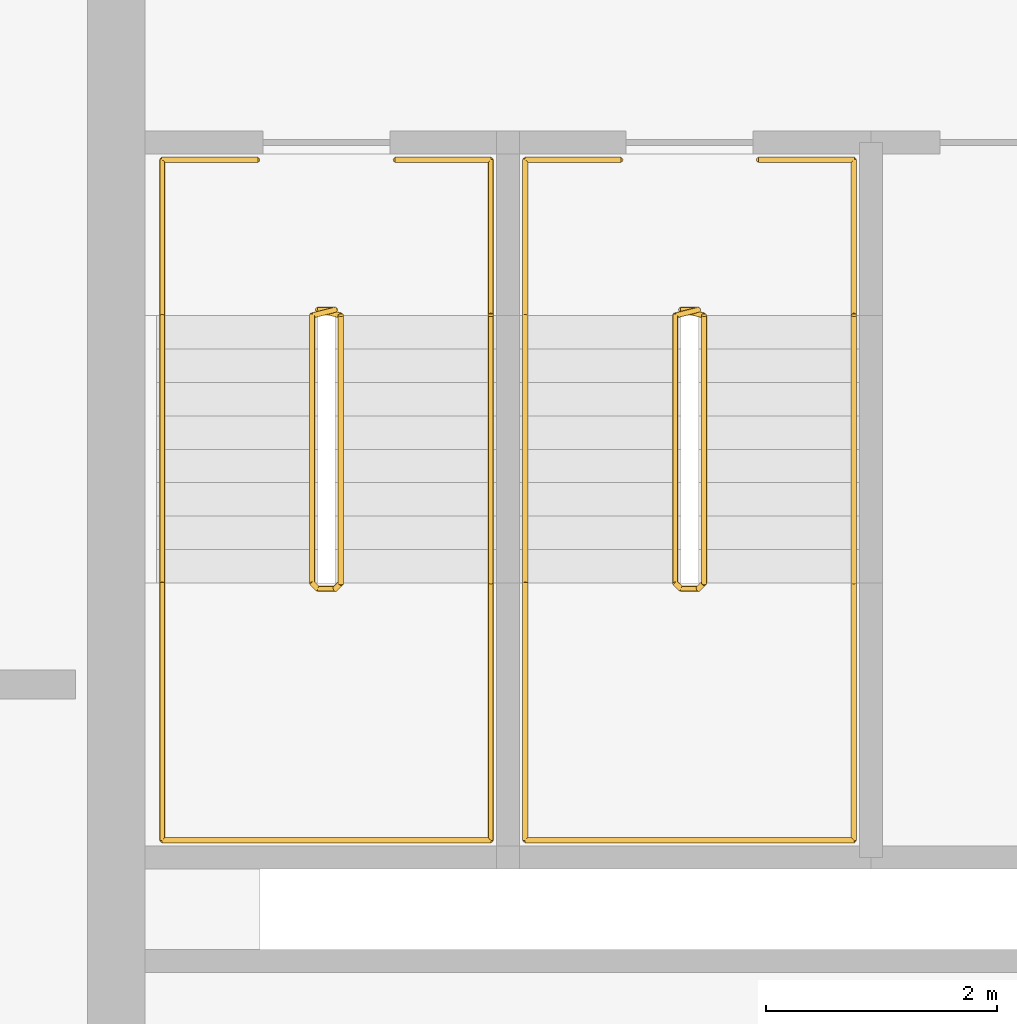
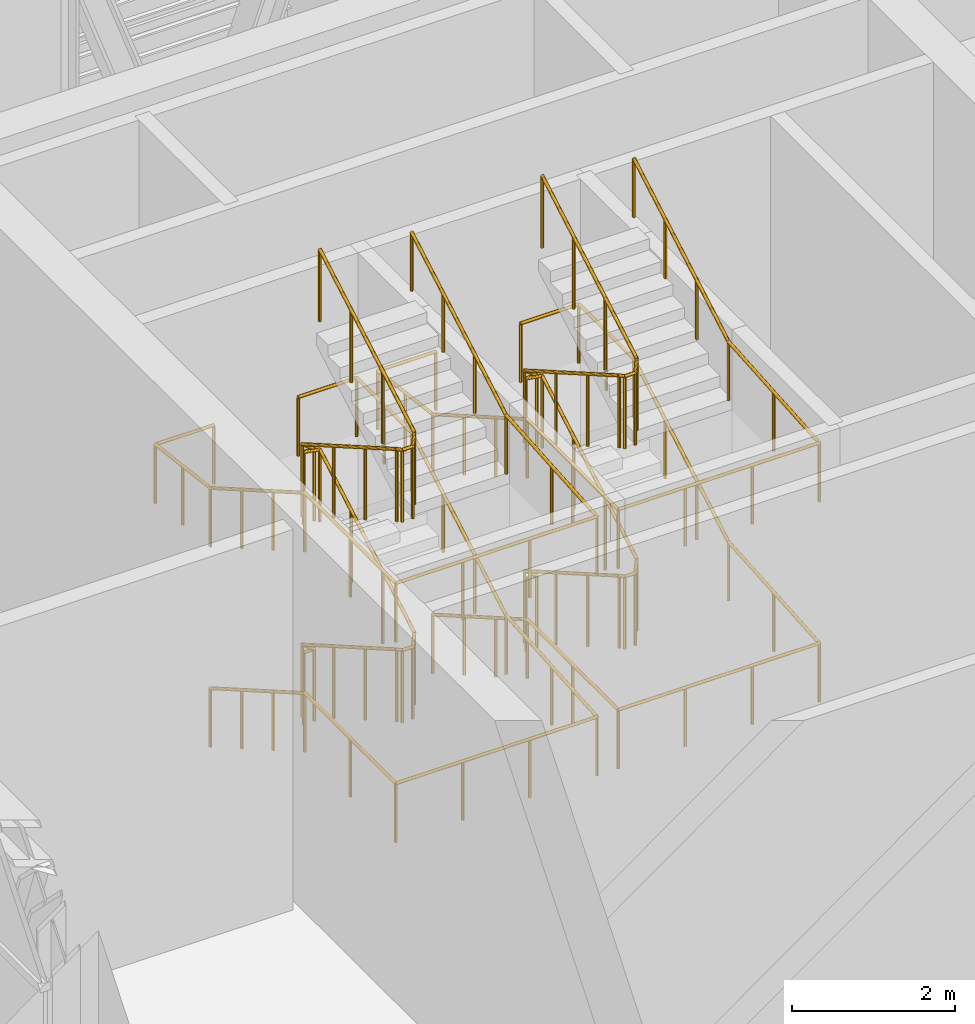
# One storey, part 17 of 19: 6 railings.
"""IFC4 building model written with IfcOpenShell, lengths in metres."""

from ifc_helpers import new_model, si_unit, direction, frame, origin, origin_2d, place, context, subcontext, project, spatial, circle, extrude, material, type_object, element, save


model = new_model("IFC4")

# Units and contexts
model_context = context("Model", 3, precision=1e-05, world=origin(), true_north=direction((0.0, 1.0)))
body_context = subcontext(model_context, "Body", "Model", "MODEL_VIEW")
ifc_project = project(units=[si_unit("LENGTHUNIT", "METRE"), si_unit("AREAUNIT", "SQUARE_METRE"), si_unit("VOLUMEUNIT", "CUBIC_METRE"), si_unit("PLANEANGLEUNIT", "RADIAN"), si_unit("MASSUNIT", "GRAM", prefix="KILO")], contexts=[model_context])

# Site, building, storey
site_placement = place(None, origin())
site = spatial("IfcSite", under=ifc_project, at=site_placement, CompositionType="ELEMENT")
building_placement = place(site_placement, origin())
building = spatial("IfcBuilding", under=site, at=building_placement, Name="Tessera Arch", CompositionType="ELEMENT")
storey_placement = place(building_placement, frame((0.0, 0.0, 197.300048828125)))
storey = spatial("IfcBuildingStorey", under=building, at=storey_placement, Name="L47", CompositionType="ELEMENT", Elevation=197.300048828125)

# Railings
ifc_material_1 = material(Name="Painted steel balustrade", Category="steel")
railing_type_1 = type_object("IfcRailingType", Name="Stair guard 1100", PredefinedType="GUARDRAIL", material=ifc_material_1)
railing_1_placement = place(storey_placement, frame((7.699951171875, 43.75, 0.0)))
element("IfcRailing", 1, at=railing_1_placement, inside=storey, type_object=railing_type_1, Name="L47 S2a stair guard 1", PredefinedType="GUARDRAIL", context=body_context, shape_type="SweptSolid", body=[
    extrude(circle(Radius=0.02392578125, at=origin_2d()), frame((-0.00390625, 0.0, 1.076171875), z_axis=(1.0, 0.0, 0.0), x_axis=(0.0, 1.0, 0.0)), (0.0, 0.0, 1.0), 0.158203125),
    extrude(circle(Radius=0.02392578125, at=origin_2d()), frame((0.153076171875, 0.000732421875, 1.073486328125), z_axis=(-0.755015485205, -0.188753871301, 0.627951903548), x_axis=(0.242535625036, -0.970142500145, 0.0)), (0.0, 0.0, 1.0), 0.273193359375),
    extrude(circle(Radius=0.02392578125, at=origin_2d()), frame((-0.050048828125, -0.046630859375, 1.240478515625), z_axis=(0.0, -0.866994009417, 0.498318560395), x_axis=(1.0, 0.0, 0.0)), (0.0, 0.0, 1.0), 2.68408203125),
    extrude(circle(Radius=0.02392578125, at=origin_2d()), frame((-0.052978515625, -2.3671875, 2.576171875), z_axis=(0.708833529934, -0.705375805398, 0.0), x_axis=(0.705375805398, 0.708833529934, 0.0)), (0.0, 0.0, 1.0), 0.07861328125),
    extrude(circle(Radius=0.02392578125, at=origin_2d()), frame((-0.00390625, -2.419921875, 2.576171875), z_axis=(1.0, 0.0, 0.0), x_axis=(0.0, 1.0, 0.0)), (0.0, 0.0, 1.0), 0.158203125),
    extrude(circle(Radius=0.02392578125, at=origin_2d()), frame((0.14892578125, -2.421142578125, 2.572265625), z_axis=(0.275485577735, 0.275485577735, 0.920986098114), x_axis=(-0.707106781187, 0.707106781187, 0.0)), (0.0, 0.0, 1.0), 0.188720703125),
    extrude(circle(Radius=0.02392578125, at=origin_2d()), frame((0.199951171875, -2.37353515625, 2.740478515625), z_axis=(0.0, 0.866994009417, 0.498318560395), x_axis=(-1.0, 0.0, 0.0)), (0.0, 0.0, 1.0), 2.68408203125),
    extrude(circle(Radius=0.02392578125, at=origin_2d()), frame((0.203857421875, -0.051025390625, 4.076171875), z_axis=(-0.970072785993, 0.242814311512, 0.0), x_axis=(-0.242814311512, -0.970072785993, 0.0)), (0.0, 0.0, 1.0), 0.214111328125),
    extrude(circle(Radius=0.02392578125, at=origin_2d()), frame((-0.00390625, 0.0, 4.076171875), z_axis=(1.0, 0.0, 0.0), x_axis=(0.0, 1.0, 0.0)), (0.0, 0.0, 1.0), 0.158203125),
    extrude(circle(Radius=0.02392578125, at=origin_2d()), frame((0.153076171875, 0.000732421875, 4.073486328125), z_axis=(-0.755015485205, -0.188753871301, 0.627951903548), x_axis=(0.242535625036, -0.970142500145, 0.0)), (0.0, 0.0, 1.0), 0.273193359375),
    extrude(circle(Radius=0.02392578125, at=origin_2d()), frame((-0.050048828125, -0.046630859375, 4.240478515625), z_axis=(0.0, -0.866994009417, 0.498318560395), x_axis=(1.0, 0.0, 0.0)), (0.0, 0.0, 1.0), 2.68408203125),
    extrude(circle(Radius=0.02392578125, at=origin_2d()), frame((-0.052978515625, -2.3671875, 5.576171875), z_axis=(0.708833529934, -0.705375805398, 0.0), x_axis=(0.705375805398, 0.708833529934, 0.0)), (0.0, 0.0, 1.0), 0.07861328125),
    extrude(circle(Radius=0.02392578125, at=origin_2d()), frame((-0.00390625, -2.419921875, 5.576171875), z_axis=(1.0, 0.0, 0.0), x_axis=(0.0, 1.0, 0.0)), (0.0, 0.0, 1.0), 0.158203125),
    extrude(circle(Radius=0.02392578125, at=origin_2d()), frame((0.14892578125, -2.421142578125, 5.572265625), z_axis=(0.275485577735, 0.275485577735, 0.920986098114), x_axis=(-0.707106781187, 0.707106781187, 0.0)), (0.0, 0.0, 1.0), 0.188720703125),
    extrude(circle(Radius=0.02392578125, at=origin_2d()), frame((0.199951171875, -2.37353515625, 5.740478515625), z_axis=(0.0, 0.866994009417, 0.498318560395), x_axis=(-1.0, 0.0, 0.0)), (0.0, 0.0, 1.0), 2.68408203125),
    extrude(circle(Radius=0.02099609375, at=origin_2d()), origin(), (0.0, 0.0, 1.0), 1.06396484375),
    extrude(circle(Radius=0.02099609375, at=origin_2d()), frame((0.150146484375, 0.0, 0.0)), (0.0, 0.0, 1.0), 1.06396484375),
    extrude(circle(Radius=0.02099609375, at=origin_2d()), frame((-0.050048828125, -0.050048828125, 0.16650390625)), (0.0, 0.0, 1.0), 1.06396484375),
    extrude(circle(Radius=0.02099609375, at=origin_2d()), frame((-0.050048828125, -0.823486328125, 0.611083984375)), (0.0, 0.0, 1.0), 1.06396484375),
    extrude(circle(Radius=0.02099609375, at=origin_2d()), frame((-0.050048828125, -1.5966796875, 1.055419921875)), (0.0, 0.0, 1.0), 1.06396484375),
    extrude(circle(Radius=0.02099609375, at=origin_2d()), frame((-0.050048828125, -2.3701171875, 1.5)), (0.0, 0.0, 1.0), 1.06396484375),
    extrude(circle(Radius=0.02099609375, at=origin_2d()), frame((0.0, -2.419921875, 1.5)), (0.0, 0.0, 1.0), 1.06396484375),
    extrude(circle(Radius=0.02099609375, at=origin_2d()), frame((0.150146484375, -2.419921875, 1.5)), (0.0, 0.0, 1.0), 1.06396484375),
    extrude(circle(Radius=0.02099609375, at=origin_2d()), frame((0.199951171875, -2.3701171875, 1.66650390625)), (0.0, 0.0, 1.0), 1.06396484375),
    extrude(circle(Radius=0.02099609375, at=origin_2d()), frame((0.199951171875, -1.5966796875, 2.111083984375)), (0.0, 0.0, 1.0), 1.06396484375),
    extrude(circle(Radius=0.02099609375, at=origin_2d()), frame((0.199951171875, -0.823486328125, 2.555419921875)), (0.0, 0.0, 1.0), 1.06396484375),
    extrude(circle(Radius=0.02099609375, at=origin_2d()), frame((0.199951171875, -0.050048828125, 3.0)), (0.0, 0.0, 1.0), 1.06396484375),
    extrude(circle(Radius=0.02099609375, at=origin_2d()), frame((0.0, 0.0, 3.0)), (0.0, 0.0, 1.0), 1.06396484375),
    extrude(circle(Radius=0.02099609375, at=origin_2d()), frame((0.150146484375, 0.0, 3.0)), (0.0, 0.0, 1.0), 1.06396484375),
    extrude(circle(Radius=0.02099609375, at=origin_2d()), frame((-0.050048828125, -0.050048828125, 3.16650390625)), (0.0, 0.0, 1.0), 1.06396484375),
    extrude(circle(Radius=0.02099609375, at=origin_2d()), frame((-0.050048828125, -0.823486328125, 3.611083984375)), (0.0, 0.0, 1.0), 1.06396484375),
    extrude(circle(Radius=0.02099609375, at=origin_2d()), frame((-0.050048828125, -1.5966796875, 4.055419921875)), (0.0, 0.0, 1.0), 1.06396484375),
    extrude(circle(Radius=0.02099609375, at=origin_2d()), frame((-0.050048828125, -2.3701171875, 4.5)), (0.0, 0.0, 1.0), 1.06396484375),
    extrude(circle(Radius=0.02099609375, at=origin_2d()), frame((0.0, -2.419921875, 4.5)), (0.0, 0.0, 1.0), 1.06396484375),
    extrude(circle(Radius=0.02099609375, at=origin_2d()), frame((0.150146484375, -2.419921875, 4.5)), (0.0, 0.0, 1.0), 1.06396484375),
    extrude(circle(Radius=0.02099609375, at=origin_2d()), frame((0.199951171875, -2.3701171875, 4.66650390625)), (0.0, 0.0, 1.0), 1.06396484375),
    extrude(circle(Radius=0.02099609375, at=origin_2d()), frame((0.199951171875, -1.5966796875, 5.111083984375)), (0.0, 0.0, 1.0), 1.06396484375),
    extrude(circle(Radius=0.02099609375, at=origin_2d()), frame((0.199951171875, -0.823486328125, 5.555419921875)), (0.0, 0.0, 1.0), 1.06396484375),
    extrude(circle(Radius=0.02099609375, at=origin_2d()), frame((0.199951171875, -0.050048828125, 6.0)), (0.0, 0.0, 1.0), 1.06396484375),
])
railing_2_placement = place(storey_placement, frame((10.85009765625, 43.75, 0.0)))
element("IfcRailing", 2, at=railing_2_placement, inside=storey, type_object=railing_type_1, Name="L47 S2b stair guard 1", PredefinedType="GUARDRAIL", context=body_context, shape_type="SweptSolid", body=[
    extrude(circle(Radius=0.02392578125, at=origin_2d()), frame((-0.00390625, 0.0, 1.076171875), z_axis=(1.0, 0.0, 0.0), x_axis=(0.0, 1.0, 0.0)), (0.0, 0.0, 1.0), 0.157958984375),
    extrude(circle(Radius=0.02392578125, at=origin_2d()), frame((0.15283203125, 0.000732421875, 1.073486328125), z_axis=(-0.754619193878, -0.188885146209, 0.628388632753), x_axis=(0.242814311512, -0.970072785993, 0.0)), (0.0, 0.0, 1.0), 0.27294921875),
    extrude(circle(Radius=0.02392578125, at=origin_2d()), frame((-0.050048828125, -0.046630859375, 1.240478515625), z_axis=(0.0, -0.866994009417, 0.498318560395), x_axis=(1.0, 0.0, 0.0)), (0.0, 0.0, 1.0), 2.68408203125),
    extrude(circle(Radius=0.02392578125, at=origin_2d()), frame((-0.052978515625, -2.3671875, 2.576171875), z_axis=(0.708833529934, -0.705375805398, 0.0), x_axis=(0.705375805398, 0.708833529934, 0.0)), (0.0, 0.0, 1.0), 0.07861328125),
    extrude(circle(Radius=0.02392578125, at=origin_2d()), frame((-0.00390625, -2.419921875, 2.576171875), z_axis=(1.0, 0.0, 0.0), x_axis=(0.0, 1.0, 0.0)), (0.0, 0.0, 1.0), 0.157958984375),
    extrude(circle(Radius=0.02392578125, at=origin_2d()), frame((0.148681640625, -2.421142578125, 2.572265625), z_axis=(0.276732813696, 0.275382897532, 0.920642824102), x_axis=(-0.705375805398, 0.708833529934, 0.0)), (0.0, 0.0, 1.0), 0.18896484375),
    extrude(circle(Radius=0.02392578125, at=origin_2d()), frame((0.199951171875, -2.37353515625, 2.740478515625), z_axis=(0.0, 0.866994009417, 0.498318560395), x_axis=(-1.0, 0.0, 0.0)), (0.0, 0.0, 1.0), 2.68408203125),
    extrude(circle(Radius=0.02392578125, at=origin_2d()), frame((0.203857421875, -0.051025390625, 4.076171875), z_axis=(-0.970072785993, 0.242814311512, 0.0), x_axis=(-0.242814311512, -0.970072785993, 0.0)), (0.0, 0.0, 1.0), 0.214111328125),
    extrude(circle(Radius=0.02392578125, at=origin_2d()), frame((-0.00390625, 0.0, 4.076171875), z_axis=(1.0, 0.0, 0.0), x_axis=(0.0, 1.0, 0.0)), (0.0, 0.0, 1.0), 0.157958984375),
    extrude(circle(Radius=0.02392578125, at=origin_2d()), frame((0.15283203125, 0.000732421875, 4.073486328125), z_axis=(-0.754619193878, -0.188885146209, 0.628388632753), x_axis=(0.242814311512, -0.970072785993, 0.0)), (0.0, 0.0, 1.0), 0.27294921875),
    extrude(circle(Radius=0.02392578125, at=origin_2d()), frame((-0.050048828125, -0.046630859375, 4.240478515625), z_axis=(0.0, -0.866994009417, 0.498318560395), x_axis=(1.0, 0.0, 0.0)), (0.0, 0.0, 1.0), 2.68408203125),
    extrude(circle(Radius=0.02392578125, at=origin_2d()), frame((-0.052978515625, -2.3671875, 5.576171875), z_axis=(0.708833529934, -0.705375805398, 0.0), x_axis=(0.705375805398, 0.708833529934, 0.0)), (0.0, 0.0, 1.0), 0.07861328125),
    extrude(circle(Radius=0.02392578125, at=origin_2d()), frame((-0.00390625, -2.419921875, 5.576171875), z_axis=(1.0, 0.0, 0.0), x_axis=(0.0, 1.0, 0.0)), (0.0, 0.0, 1.0), 0.157958984375),
    extrude(circle(Radius=0.02392578125, at=origin_2d()), frame((0.148681640625, -2.421142578125, 5.572265625), z_axis=(0.276732813696, 0.275382897532, 0.920642824102), x_axis=(-0.705375805398, 0.708833529934, 0.0)), (0.0, 0.0, 1.0), 0.18896484375),
    extrude(circle(Radius=0.02392578125, at=origin_2d()), frame((0.199951171875, -2.37353515625, 5.740478515625), z_axis=(0.0, 0.866994009417, 0.498318560395), x_axis=(-1.0, 0.0, 0.0)), (0.0, 0.0, 1.0), 2.68408203125),
    extrude(circle(Radius=0.02099609375, at=origin_2d()), origin(), (0.0, 0.0, 1.0), 1.06396484375),
    extrude(circle(Radius=0.02099609375, at=origin_2d()), frame((0.14990234375, 0.0, 0.0)), (0.0, 0.0, 1.0), 1.06396484375),
    extrude(circle(Radius=0.02099609375, at=origin_2d()), frame((-0.050048828125, -0.050048828125, 0.16650390625)), (0.0, 0.0, 1.0), 1.06396484375),
    extrude(circle(Radius=0.02099609375, at=origin_2d()), frame((-0.050048828125, -0.823486328125, 0.611083984375)), (0.0, 0.0, 1.0), 1.06396484375),
    extrude(circle(Radius=0.02099609375, at=origin_2d()), frame((-0.050048828125, -1.5966796875, 1.055419921875)), (0.0, 0.0, 1.0), 1.06396484375),
    extrude(circle(Radius=0.02099609375, at=origin_2d()), frame((-0.050048828125, -2.3701171875, 1.5)), (0.0, 0.0, 1.0), 1.06396484375),
    extrude(circle(Radius=0.02099609375, at=origin_2d()), frame((0.0, -2.419921875, 1.5)), (0.0, 0.0, 1.0), 1.06396484375),
    extrude(circle(Radius=0.02099609375, at=origin_2d()), frame((0.14990234375, -2.419921875, 1.5)), (0.0, 0.0, 1.0), 1.06396484375),
    extrude(circle(Radius=0.02099609375, at=origin_2d()), frame((0.199951171875, -2.3701171875, 1.66650390625)), (0.0, 0.0, 1.0), 1.06396484375),
    extrude(circle(Radius=0.02099609375, at=origin_2d()), frame((0.199951171875, -1.5966796875, 2.111083984375)), (0.0, 0.0, 1.0), 1.06396484375),
    extrude(circle(Radius=0.02099609375, at=origin_2d()), frame((0.199951171875, -0.823486328125, 2.555419921875)), (0.0, 0.0, 1.0), 1.06396484375),
    extrude(circle(Radius=0.02099609375, at=origin_2d()), frame((0.199951171875, -0.050048828125, 3.0)), (0.0, 0.0, 1.0), 1.06396484375),
    extrude(circle(Radius=0.02099609375, at=origin_2d()), frame((0.0, 0.0, 3.0)), (0.0, 0.0, 1.0), 1.06396484375),
    extrude(circle(Radius=0.02099609375, at=origin_2d()), frame((0.14990234375, 0.0, 3.0)), (0.0, 0.0, 1.0), 1.06396484375),
    extrude(circle(Radius=0.02099609375, at=origin_2d()), frame((-0.050048828125, -0.050048828125, 3.16650390625)), (0.0, 0.0, 1.0), 1.06396484375),
    extrude(circle(Radius=0.02099609375, at=origin_2d()), frame((-0.050048828125, -0.823486328125, 3.611083984375)), (0.0, 0.0, 1.0), 1.06396484375),
    extrude(circle(Radius=0.02099609375, at=origin_2d()), frame((-0.050048828125, -1.5966796875, 4.055419921875)), (0.0, 0.0, 1.0), 1.06396484375),
    extrude(circle(Radius=0.02099609375, at=origin_2d()), frame((-0.050048828125, -2.3701171875, 4.5)), (0.0, 0.0, 1.0), 1.06396484375),
    extrude(circle(Radius=0.02099609375, at=origin_2d()), frame((0.0, -2.419921875, 4.5)), (0.0, 0.0, 1.0), 1.06396484375),
    extrude(circle(Radius=0.02099609375, at=origin_2d()), frame((0.14990234375, -2.419921875, 4.5)), (0.0, 0.0, 1.0), 1.06396484375),
    extrude(circle(Radius=0.02099609375, at=origin_2d()), frame((0.199951171875, -2.3701171875, 4.66650390625)), (0.0, 0.0, 1.0), 1.06396484375),
    extrude(circle(Radius=0.02099609375, at=origin_2d()), frame((0.199951171875, -1.5966796875, 5.111083984375)), (0.0, 0.0, 1.0), 1.06396484375),
    extrude(circle(Radius=0.02099609375, at=origin_2d()), frame((0.199951171875, -0.823486328125, 5.555419921875)), (0.0, 0.0, 1.0), 1.06396484375),
    extrude(circle(Radius=0.02099609375, at=origin_2d()), frame((0.199951171875, -0.050048828125, 6.0)), (0.0, 0.0, 1.0), 1.06396484375),
])
ifc_material_2 = material(Name="Painted steel handrail", Category="steel")
railing_type_2 = type_object("IfcRailingType", Name="Stair handrail 900", PredefinedType="HANDRAIL", material=ifc_material_2)
railing_3_placement = place(storey_placement, frame((6.35009765625, 43.699951171875, 0.16650390625)))
element("IfcRailing", 3, at=railing_3_placement, inside=storey, type_object=railing_type_2, Name="L47 S2a stair handrail", PredefinedType="HANDRAIL", context=body_context, shape_type="SweptSolid", body=[
    extrude(circle(Radius=0.02392578125, at=origin_2d()), frame((0.0, 0.00341796875, 0.873779296875), z_axis=(0.0, -0.866994009417, 0.498318560395), x_axis=(1.0, 0.0, 0.0)), (0.0, 0.0, 1.0), 2.68408203125),
    extrude(circle(Radius=0.02392578125, at=origin_2d()), frame((0.0, -2.316162109375, 2.20947265625), z_axis=(0.0, -1.0, 0.0), x_axis=(1.0, 0.0, 0.0)), (0.0, 0.0, 1.0), 2.238037109375),
    extrude(circle(Radius=0.02392578125, at=origin_2d()), frame((-0.00390625, -4.550048828125, 2.20947265625), z_axis=(1.0, 0.0, 0.0), x_axis=(0.0, 1.0, 0.0)), (0.0, 0.0, 1.0), 2.85791015625),
    extrude(circle(Radius=0.02392578125, at=origin_2d()), frame((2.849853515625, -4.553955078125, 2.208984375), z_axis=(0.0, 0.99722408949, 0.074458816404), x_axis=(-1.0, 0.0, 0.0)), (0.0, 0.0, 1.0), 2.244140625),
    extrude(circle(Radius=0.02392578125, at=origin_2d()), frame((2.849853515625, -2.323486328125, 2.373779296875), z_axis=(0.0, 0.866994009417, 0.498318560395), x_axis=(-1.0, 0.0, 0.0)), (0.0, 0.0, 1.0), 2.68408203125),
    extrude(circle(Radius=0.02392578125, at=origin_2d()), frame((2.849853515625, -0.00390625, 3.70947265625), z_axis=(0.0, 1.0, 0.0), x_axis=(-1.0, 0.0, 0.0)), (0.0, 0.0, 1.0), 1.358154296875),
    extrude(circle(Radius=0.02392578125, at=origin_2d()), frame((2.853759765625, 1.35009765625, 3.70947265625), z_axis=(-1.0, 0.0, 0.0), x_axis=(0.0, -1.0, 0.0)), (0.0, 0.0, 1.0), 0.8330078125),
    extrude(circle(Radius=0.02099609375, at=origin_2d()), origin(), (0.0, 0.0, 1.0), 0.86376953125),
    extrude(circle(Radius=0.02099609375, at=origin_2d()), frame((0.0, -0.7734375, 0.444580078125)), (0.0, 0.0, 1.0), 0.86376953125),
    extrude(circle(Radius=0.02099609375, at=origin_2d()), frame((0.0, -1.546630859375, 0.888916015625)), (0.0, 0.0, 1.0), 0.86376953125),
    extrude(circle(Radius=0.02099609375, at=origin_2d()), frame((0.0, -2.320068359375, 1.33349609375)), (0.0, 0.0, 1.0), 0.86376953125),
    extrude(circle(Radius=0.02099609375, at=origin_2d()), frame((0.0, -3.43505859375, 1.33349609375)), (0.0, 0.0, 1.0), 0.86376953125),
    extrude(circle(Radius=0.02099609375, at=origin_2d()), frame((0.0, -4.550048828125, 1.33349609375)), (0.0, 0.0, 1.0), 0.86376953125),
    extrude(circle(Radius=0.02099609375, at=origin_2d()), frame((0.949951171875, -4.550048828125, 1.33349609375)), (0.0, 0.0, 1.0), 0.86376953125),
    extrude(circle(Radius=0.02099609375, at=origin_2d()), frame((1.89990234375, -4.550048828125, 1.33349609375)), (0.0, 0.0, 1.0), 0.86376953125),
    extrude(circle(Radius=0.02099609375, at=origin_2d()), frame((2.849853515625, -4.550048828125, 1.33349609375)), (0.0, 0.0, 1.0), 0.86376953125),
    extrude(circle(Radius=0.02099609375, at=origin_2d()), frame((2.849853515625, -3.43505859375, 1.416748046875)), (0.0, 0.0, 1.0), 0.86376953125),
    extrude(circle(Radius=0.02099609375, at=origin_2d()), frame((2.849853515625, -2.320068359375, 1.5)), (0.0, 0.0, 1.0), 0.86376953125),
    extrude(circle(Radius=0.02099609375, at=origin_2d()), frame((2.849853515625, -1.546630859375, 1.944580078125)), (0.0, 0.0, 1.0), 0.86376953125),
    extrude(circle(Radius=0.02099609375, at=origin_2d()), frame((2.849853515625, -0.7734375, 2.388916015625)), (0.0, 0.0, 1.0), 0.86376953125),
    extrude(circle(Radius=0.02099609375, at=origin_2d()), frame((2.849853515625, 0.0, 2.83349609375)), (0.0, 0.0, 1.0), 0.86376953125),
    extrude(circle(Radius=0.02099609375, at=origin_2d()), frame((2.849853515625, 0.675048828125, 2.83349609375)), (0.0, 0.0, 1.0), 0.86376953125),
    extrude(circle(Radius=0.02099609375, at=origin_2d()), frame((2.849853515625, 1.35009765625, 2.83349609375)), (0.0, 0.0, 1.0), 0.86376953125),
    extrude(circle(Radius=0.02099609375, at=origin_2d()), frame((2.02490234375, 1.35009765625, 2.83349609375)), (0.0, 0.0, 1.0), 0.86376953125),
])
railing_4_placement = place(storey_placement, frame((7.175048828125, 45.050048828125, 3.0)))
element("IfcRailing", 4, at=railing_4_placement, inside=storey, type_object=railing_type_2, Name="L47 S2a stair handrail 2", PredefinedType="HANDRAIL", context=body_context, shape_type="SweptSolid", body=[
    extrude(circle(Radius=0.02392578125, at=origin_2d()), frame((0.00390625, 0.0, 0.8759765625), z_axis=(-1.0, 0.0, 0.0), x_axis=(0.0, -1.0, 0.0)), (0.0, 0.0, 1.0), 0.8330078125),
    extrude(circle(Radius=0.02392578125, at=origin_2d()), frame((-0.824951171875, 0.00390625, 0.875244140625), z_axis=(0.0, -0.992480852507, 0.122399989405), x_axis=(1.0, 0.0, 0.0)), (0.0, 0.0, 1.0), 1.368408203125),
    extrude(circle(Radius=0.02392578125, at=origin_2d()), frame((-0.824951171875, -1.3466796875, 1.040283203125), z_axis=(0.0, -0.866994009417, 0.498318560395), x_axis=(1.0, 0.0, 0.0)), (0.0, 0.0, 1.0), 2.68408203125),
    extrude(circle(Radius=0.02392578125, at=origin_2d()), frame((-0.824951171875, -3.666259765625, 2.3759765625), z_axis=(0.0, -1.0, 0.0), x_axis=(1.0, 0.0, 0.0)), (0.0, 0.0, 1.0), 2.238037109375),
    extrude(circle(Radius=0.02392578125, at=origin_2d()), frame((-0.828857421875, -5.900146484375, 2.3759765625), z_axis=(1.0, 0.0, 0.0), x_axis=(0.0, 1.0, 0.0)), (0.0, 0.0, 1.0), 2.85791015625),
    extrude(circle(Radius=0.02392578125, at=origin_2d()), frame((2.02490234375, -5.904052734375, 2.37548828125), z_axis=(0.0, 0.99722408949, 0.074458816404), x_axis=(-1.0, 0.0, 0.0)), (0.0, 0.0, 1.0), 2.244140625),
    extrude(circle(Radius=0.02392578125, at=origin_2d()), frame((2.02490234375, -3.673583984375, 2.540283203125), z_axis=(0.0, 0.866994009417, 0.498318560395), x_axis=(-1.0, 0.0, 0.0)), (0.0, 0.0, 1.0), 2.68408203125),
    extrude(circle(Radius=0.02099609375, at=origin_2d()), origin(), (0.0, 0.0, 1.0), 0.86376953125),
    extrude(circle(Radius=0.02099609375, at=origin_2d()), frame((-0.824951171875, 0.0, 0.0)), (0.0, 0.0, 1.0), 0.86376953125),
    extrude(circle(Radius=0.02099609375, at=origin_2d()), frame((-0.824951171875, -0.675048828125, 0.083251953125)), (0.0, 0.0, 1.0), 0.86376953125),
    extrude(circle(Radius=0.02099609375, at=origin_2d()), frame((-0.824951171875, -1.35009765625, 0.16650390625)), (0.0, 0.0, 1.0), 0.86376953125),
    extrude(circle(Radius=0.02099609375, at=origin_2d()), frame((-0.824951171875, -2.12353515625, 0.611083984375)), (0.0, 0.0, 1.0), 0.86376953125),
    extrude(circle(Radius=0.02099609375, at=origin_2d()), frame((-0.824951171875, -2.896728515625, 1.055419921875)), (0.0, 0.0, 1.0), 0.86376953125),
    extrude(circle(Radius=0.02099609375, at=origin_2d()), frame((-0.824951171875, -3.670166015625, 1.5)), (0.0, 0.0, 1.0), 0.86376953125),
    extrude(circle(Radius=0.02099609375, at=origin_2d()), frame((-0.824951171875, -4.78515625, 1.5)), (0.0, 0.0, 1.0), 0.86376953125),
    extrude(circle(Radius=0.02099609375, at=origin_2d()), frame((-0.824951171875, -5.900146484375, 1.5)), (0.0, 0.0, 1.0), 0.86376953125),
    extrude(circle(Radius=0.02099609375, at=origin_2d()), frame((0.125, -5.900146484375, 1.5)), (0.0, 0.0, 1.0), 0.86376953125),
    extrude(circle(Radius=0.02099609375, at=origin_2d()), frame((1.074951171875, -5.900146484375, 1.5)), (0.0, 0.0, 1.0), 0.86376953125),
    extrude(circle(Radius=0.02099609375, at=origin_2d()), frame((2.02490234375, -5.900146484375, 1.5)), (0.0, 0.0, 1.0), 0.86376953125),
    extrude(circle(Radius=0.02099609375, at=origin_2d()), frame((2.02490234375, -4.78515625, 1.583251953125)), (0.0, 0.0, 1.0), 0.86376953125),
    extrude(circle(Radius=0.02099609375, at=origin_2d()), frame((2.02490234375, -3.670166015625, 1.66650390625)), (0.0, 0.0, 1.0), 0.86376953125),
    extrude(circle(Radius=0.02099609375, at=origin_2d()), frame((2.02490234375, -2.896728515625, 2.111083984375)), (0.0, 0.0, 1.0), 0.86376953125),
    extrude(circle(Radius=0.02099609375, at=origin_2d()), frame((2.02490234375, -2.12353515625, 2.555419921875)), (0.0, 0.0, 1.0), 0.86376953125),
    extrude(circle(Radius=0.02099609375, at=origin_2d()), frame((2.02490234375, -1.35009765625, 3.0)), (0.0, 0.0, 1.0), 0.86376953125),
])
railing_5_placement = place(storey_placement, frame((9.5, 43.699951171875, 0.16650390625)))
element("IfcRailing", 5, at=railing_5_placement, inside=storey, type_object=railing_type_2, Name="L47 S2b stair handrail", PredefinedType="HANDRAIL", context=body_context, shape_type="SweptSolid", body=[
    extrude(circle(Radius=0.02392578125, at=origin_2d()), frame((0.0, 0.00341796875, 0.873779296875), z_axis=(0.0, -0.866994009417, 0.498318560395), x_axis=(1.0, 0.0, 0.0)), (0.0, 0.0, 1.0), 2.68408203125),
    extrude(circle(Radius=0.02392578125, at=origin_2d()), frame((0.0, -2.316162109375, 2.20947265625), z_axis=(0.0, -1.0, 0.0), x_axis=(1.0, 0.0, 0.0)), (0.0, 0.0, 1.0), 2.238037109375),
    extrude(circle(Radius=0.02392578125, at=origin_2d()), frame((-0.00390625, -4.550048828125, 2.20947265625), z_axis=(1.0, 0.0, 0.0), x_axis=(0.0, 1.0, 0.0)), (0.0, 0.0, 1.0), 2.858154296875),
    extrude(circle(Radius=0.02392578125, at=origin_2d()), frame((2.85009765625, -4.553955078125, 2.208984375), z_axis=(0.0, 0.99722408949, 0.074458816404), x_axis=(-1.0, 0.0, 0.0)), (0.0, 0.0, 1.0), 2.244140625),
    extrude(circle(Radius=0.02392578125, at=origin_2d()), frame((2.85009765625, -2.323486328125, 2.373779296875), z_axis=(0.0, 0.866994009417, 0.498318560395), x_axis=(-1.0, 0.0, 0.0)), (0.0, 0.0, 1.0), 2.68408203125),
    extrude(circle(Radius=0.02392578125, at=origin_2d()), frame((2.85009765625, -0.00390625, 3.70947265625), z_axis=(0.0, 1.0, 0.0), x_axis=(-1.0, 0.0, 0.0)), (0.0, 0.0, 1.0), 1.358154296875),
    extrude(circle(Radius=0.02392578125, at=origin_2d()), frame((2.85400390625, 1.35009765625, 3.70947265625), z_axis=(-1.0, 0.0, 0.0), x_axis=(0.0, -1.0, 0.0)), (0.0, 0.0, 1.0), 0.833251953125),
    extrude(circle(Radius=0.02099609375, at=origin_2d()), origin(), (0.0, 0.0, 1.0), 0.86376953125),
    extrude(circle(Radius=0.02099609375, at=origin_2d()), frame((0.0, -0.7734375, 0.444580078125)), (0.0, 0.0, 1.0), 0.86376953125),
    extrude(circle(Radius=0.02099609375, at=origin_2d()), frame((0.0, -1.546630859375, 0.888916015625)), (0.0, 0.0, 1.0), 0.86376953125),
    extrude(circle(Radius=0.02099609375, at=origin_2d()), frame((0.0, -2.320068359375, 1.33349609375)), (0.0, 0.0, 1.0), 0.86376953125),
    extrude(circle(Radius=0.02099609375, at=origin_2d()), frame((0.0, -3.43505859375, 1.33349609375)), (0.0, 0.0, 1.0), 0.86376953125),
    extrude(circle(Radius=0.02099609375, at=origin_2d()), frame((0.0, -4.550048828125, 1.33349609375)), (0.0, 0.0, 1.0), 0.86376953125),
    extrude(circle(Radius=0.02099609375, at=origin_2d()), frame((0.949951171875, -4.550048828125, 1.33349609375)), (0.0, 0.0, 1.0), 0.86376953125),
    extrude(circle(Radius=0.02099609375, at=origin_2d()), frame((1.900146484375, -4.550048828125, 1.33349609375)), (0.0, 0.0, 1.0), 0.86376953125),
    extrude(circle(Radius=0.02099609375, at=origin_2d()), frame((2.85009765625, -4.550048828125, 1.33349609375)), (0.0, 0.0, 1.0), 0.86376953125),
    extrude(circle(Radius=0.02099609375, at=origin_2d()), frame((2.85009765625, -3.43505859375, 1.416748046875)), (0.0, 0.0, 1.0), 0.86376953125),
    extrude(circle(Radius=0.02099609375, at=origin_2d()), frame((2.85009765625, -2.320068359375, 1.5)), (0.0, 0.0, 1.0), 0.86376953125),
    extrude(circle(Radius=0.02099609375, at=origin_2d()), frame((2.85009765625, -1.546630859375, 1.944580078125)), (0.0, 0.0, 1.0), 0.86376953125),
    extrude(circle(Radius=0.02099609375, at=origin_2d()), frame((2.85009765625, -0.7734375, 2.388916015625)), (0.0, 0.0, 1.0), 0.86376953125),
    extrude(circle(Radius=0.02099609375, at=origin_2d()), frame((2.85009765625, 0.0, 2.83349609375)), (0.0, 0.0, 1.0), 0.86376953125),
    extrude(circle(Radius=0.02099609375, at=origin_2d()), frame((2.85009765625, 0.675048828125, 2.83349609375)), (0.0, 0.0, 1.0), 0.86376953125),
    extrude(circle(Radius=0.02099609375, at=origin_2d()), frame((2.85009765625, 1.35009765625, 2.83349609375)), (0.0, 0.0, 1.0), 0.86376953125),
    extrude(circle(Radius=0.02099609375, at=origin_2d()), frame((2.02490234375, 1.35009765625, 2.83349609375)), (0.0, 0.0, 1.0), 0.86376953125),
])
railing_6_placement = place(storey_placement, frame((10.324951171875, 45.050048828125, 3.0)))
element("IfcRailing", 6, at=railing_6_placement, inside=storey, type_object=railing_type_2, Name="L47 S2b stair handrail 2", PredefinedType="HANDRAIL", context=body_context, shape_type="SweptSolid", body=[
    extrude(circle(Radius=0.02392578125, at=origin_2d()), frame((0.00390625, 0.0, 0.8759765625), z_axis=(-1.0, 0.0, 0.0), x_axis=(0.0, -1.0, 0.0)), (0.0, 0.0, 1.0), 0.8330078125),
    extrude(circle(Radius=0.02392578125, at=origin_2d()), frame((-0.824951171875, 0.00390625, 0.875244140625), z_axis=(0.0, -0.992480852507, 0.122399989405), x_axis=(1.0, 0.0, 0.0)), (0.0, 0.0, 1.0), 1.368408203125),
    extrude(circle(Radius=0.02392578125, at=origin_2d()), frame((-0.824951171875, -1.3466796875, 1.040283203125), z_axis=(0.0, -0.866994009417, 0.498318560395), x_axis=(1.0, 0.0, 0.0)), (0.0, 0.0, 1.0), 2.68408203125),
    extrude(circle(Radius=0.02392578125, at=origin_2d()), frame((-0.824951171875, -3.666259765625, 2.3759765625), z_axis=(0.0, -1.0, 0.0), x_axis=(1.0, 0.0, 0.0)), (0.0, 0.0, 1.0), 2.238037109375),
    extrude(circle(Radius=0.02392578125, at=origin_2d()), frame((-0.828857421875, -5.900146484375, 2.3759765625), z_axis=(1.0, 0.0, 0.0), x_axis=(0.0, 1.0, 0.0)), (0.0, 0.0, 1.0), 2.858154296875),
    extrude(circle(Radius=0.02392578125, at=origin_2d()), frame((2.025146484375, -5.904052734375, 2.37548828125), z_axis=(0.0, 0.99722408949, 0.074458816404), x_axis=(-1.0, 0.0, 0.0)), (0.0, 0.0, 1.0), 2.244140625),
    extrude(circle(Radius=0.02392578125, at=origin_2d()), frame((2.025146484375, -3.673583984375, 2.540283203125), z_axis=(0.0, 0.866994009417, 0.498318560395), x_axis=(-1.0, 0.0, 0.0)), (0.0, 0.0, 1.0), 2.68408203125),
    extrude(circle(Radius=0.02099609375, at=origin_2d()), origin(), (0.0, 0.0, 1.0), 0.86376953125),
    extrude(circle(Radius=0.02099609375, at=origin_2d()), frame((-0.824951171875, 0.0, 0.0)), (0.0, 0.0, 1.0), 0.86376953125),
    extrude(circle(Radius=0.02099609375, at=origin_2d()), frame((-0.824951171875, -0.675048828125, 0.083251953125)), (0.0, 0.0, 1.0), 0.86376953125),
    extrude(circle(Radius=0.02099609375, at=origin_2d()), frame((-0.824951171875, -1.35009765625, 0.16650390625)), (0.0, 0.0, 1.0), 0.86376953125),
    extrude(circle(Radius=0.02099609375, at=origin_2d()), frame((-0.824951171875, -2.12353515625, 0.611083984375)), (0.0, 0.0, 1.0), 0.86376953125),
    extrude(circle(Radius=0.02099609375, at=origin_2d()), frame((-0.824951171875, -2.896728515625, 1.055419921875)), (0.0, 0.0, 1.0), 0.86376953125),
    extrude(circle(Radius=0.02099609375, at=origin_2d()), frame((-0.824951171875, -3.670166015625, 1.5)), (0.0, 0.0, 1.0), 0.86376953125),
    extrude(circle(Radius=0.02099609375, at=origin_2d()), frame((-0.824951171875, -4.78515625, 1.5)), (0.0, 0.0, 1.0), 0.86376953125),
    extrude(circle(Radius=0.02099609375, at=origin_2d()), frame((-0.824951171875, -5.900146484375, 1.5)), (0.0, 0.0, 1.0), 0.86376953125),
    extrude(circle(Radius=0.02099609375, at=origin_2d()), frame((0.125, -5.900146484375, 1.5)), (0.0, 0.0, 1.0), 0.86376953125),
    extrude(circle(Radius=0.02099609375, at=origin_2d()), frame((1.0751953125, -5.900146484375, 1.5)), (0.0, 0.0, 1.0), 0.86376953125),
    extrude(circle(Radius=0.02099609375, at=origin_2d()), frame((2.025146484375, -5.900146484375, 1.5)), (0.0, 0.0, 1.0), 0.86376953125),
    extrude(circle(Radius=0.02099609375, at=origin_2d()), frame((2.025146484375, -4.78515625, 1.583251953125)), (0.0, 0.0, 1.0), 0.86376953125),
    extrude(circle(Radius=0.02099609375, at=origin_2d()), frame((2.025146484375, -3.670166015625, 1.66650390625)), (0.0, 0.0, 1.0), 0.86376953125),
    extrude(circle(Radius=0.02099609375, at=origin_2d()), frame((2.025146484375, -2.896728515625, 2.111083984375)), (0.0, 0.0, 1.0), 0.86376953125),
    extrude(circle(Radius=0.02099609375, at=origin_2d()), frame((2.025146484375, -2.12353515625, 2.555419921875)), (0.0, 0.0, 1.0), 0.86376953125),
    extrude(circle(Radius=0.02099609375, at=origin_2d()), frame((2.025146484375, -1.35009765625, 3.0)), (0.0, 0.0, 1.0), 0.86376953125),
])

save(model, "model.ifc")
